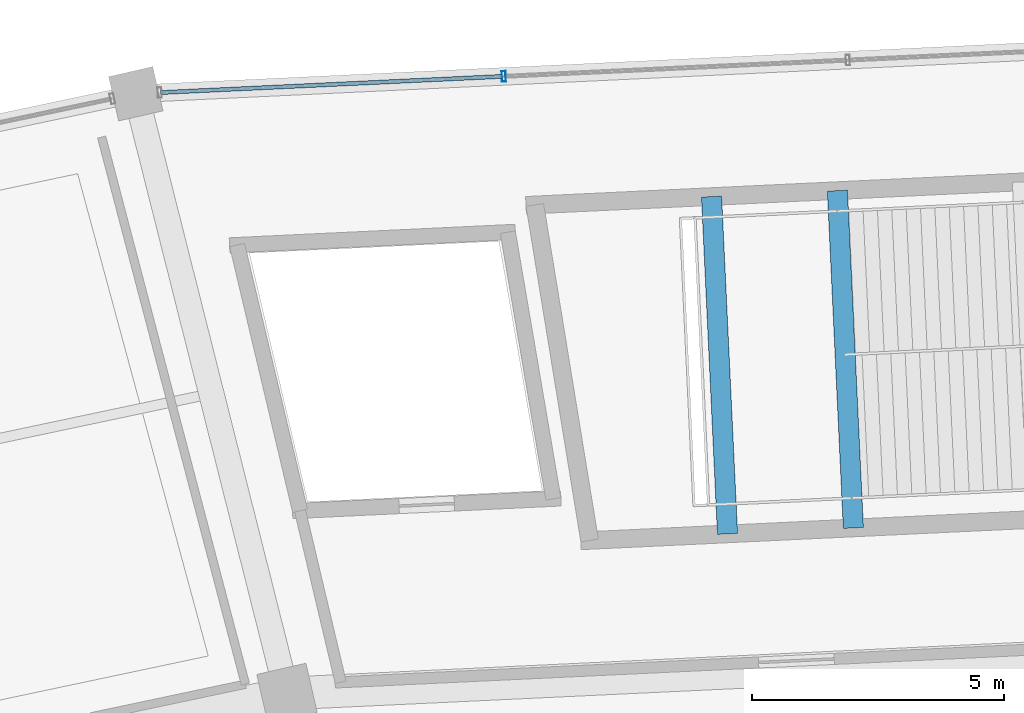
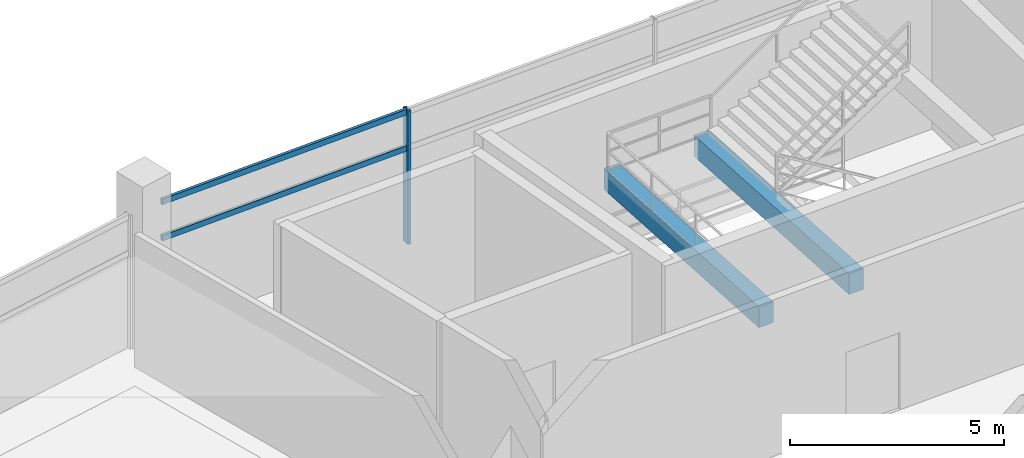
# One storey, part 103 of 171: 3 members, 2 beams, 1 element without a shape of its own.
"""IFC4 building model written with IfcOpenShell, lengths in metres."""

import ifcopenshell
import ifcopenshell.guid

model = None  # the IFC model being written
_history = None  # IfcOwnerHistory: only IFC2X3 demands one
_inside = {}  # id of a spatial element -> (the spatial element, [elements in it])
_under = {}  # id of a project, library or spatial element -> (it, [spatial elements below it])
_declared = {}  # id of a project -> (the project, [libraries it declares])
_typed = {}  # id of a type object -> (the type object, [elements of that type])
_made_of = {}  # id of a material, layer set ... -> (it, [elements and type objects made of it])


def new_model(schema):
    """Start an empty IFC model of exactly this schema.

    Asked for "IFC4X3", IfcOpenShell would pick the latest addendum, in which some entities
    have other attributes; the version numbers below select the first issue.
    IFC2X3 requires an IfcOwnerHistory on every rooted entity: one is made here for all.
    """
    global model, _history
    if schema == "IFC4X3":
        model = ifcopenshell.file(schema_version=(4, 3, 0, 0))
    else:
        model = ifcopenshell.file(schema=schema)
    _inside.clear()
    _under.clear()
    _declared.clear()
    _typed.clear()
    _made_of.clear()
    _history = None
    if model.schema == "IFC2X3":
        org = make("IfcOrganization", Name="unknown")
        user = make(
            "IfcPersonAndOrganization",
            ThePerson=make("IfcPerson", FamilyName="unknown"),
            TheOrganization=org,
        )
        app = make(
            "IfcApplication",
            ApplicationDeveloper=org,
            Version="unknown",
            ApplicationFullName="unknown",
            ApplicationIdentifier="unknown",
        )
        _history = make(
            "IfcOwnerHistory",
            OwningUser=user,
            OwningApplication=app,
            ChangeAction="ADDED",
            CreationDate=0,
        )
    return model


def make(cls, **values):
    """One entity of the class cls with the attributes given. An attribute that is None is left unset."""
    return model.create_entity(
        cls, **{name: value for name, value in values.items() if value is not None}
    )


def rooted(cls, **values):
    """An entity with a GlobalId (a new one), such as an element, a storey or a relation."""
    return make(cls, GlobalId=ifcopenshell.guid.new(), OwnerHistory=_history, **values)


def si_unit(unit_type, name, prefix=None):
    """IfcSIUnit, for example si_unit("LENGTHUNIT", "METRE", prefix="MILLI")."""
    return make("IfcSIUnit", UnitType=unit_type, Prefix=prefix, Name=name)


def assignment(units):
    """IfcUnitAssignment: the units of a project."""
    return None if units is None else make("IfcUnitAssignment", Units=units)


def point(xyz):
    """IfcCartesianPoint."""
    return None if xyz is None else make("IfcCartesianPoint", Coordinates=xyz)


def direction(xyz):
    """IfcDirection."""
    return None if xyz is None else make("IfcDirection", DirectionRatios=xyz)


def frame(location, z_axis=None, x_axis=None):
    """IfcAxis2Placement3D, a coordinate frame: its origin and axes. An axis left out is left unset."""
    return make(
        "IfcAxis2Placement3D",
        Location=point(location),
        Axis=direction(z_axis),
        RefDirection=direction(x_axis),
    )


def frame_2d(location, x_axis=None):
    """IfcAxis2Placement2D, a coordinate frame in the plane: its origin and x axis."""
    return make(
        "IfcAxis2Placement2D", Location=point(location), RefDirection=direction(x_axis)
    )


def origin():
    """The frame at (0, 0, 0) with its axes left unset."""
    return frame((0.0, 0.0, 0.0))


def origin_2d():
    """The frame at (0, 0) in the plane with its x axis left unset."""
    return frame_2d((0.0, 0.0))


def place(relative_to, where):
    """IfcLocalPlacement: puts the frame where relative to a parent placement (None: the world)."""
    return make(
        "IfcLocalPlacement", PlacementRelTo=relative_to, RelativePlacement=where
    )


def context(
    kind, dimensions, precision=None, world=None, true_north=None, identifier=None
):
    """IfcGeometricRepresentationContext, for example the 3D "Model" context."""
    return make(
        "IfcGeometricRepresentationContext",
        ContextIdentifier=identifier,
        ContextType=kind,
        CoordinateSpaceDimension=dimensions,
        Precision=precision,
        WorldCoordinateSystem=world,
        TrueNorth=true_north,
    )


def subcontext(parent, identifier, kind, view, scale=None):
    """IfcGeometricRepresentationSubContext, for example "Body" below "Model"."""
    return make(
        "IfcGeometricRepresentationSubContext",
        ContextIdentifier=identifier,
        ContextType=kind,
        ParentContext=parent,
        TargetScale=scale,
        TargetView=view,
    )


def project(units=None, contexts=None):
    """IfcProject with its units and contexts."""
    return rooted(
        "IfcProject",
        Name="project",
        RepresentationContexts=contexts,
        UnitsInContext=assignment(units),
    )


def spatial(cls, under=None, at=None, **own):
    """A site, building, storey or space (cls), placed at a placement, below another one or the project."""
    s = rooted(cls, ObjectPlacement=at, **own)
    if under is not None:
        _under.setdefault(under.id(), (under, []))[1].append(s)
    return s


def profile(cls, at=None, kind="AREA", **sizes):
    """A parametric profile (cls). Its sizes go by their IFC names, for example OverallWidth=200.0."""
    return make(cls, ProfileType=kind, Position=at, **sizes)


def rectangle(**sizes):
    """IfcRectangleProfileDef."""
    return profile("IfcRectangleProfileDef", **sizes)


def hollow_rectangle(**sizes):
    """IfcRectangleHollowProfileDef."""
    return profile("IfcRectangleHollowProfileDef", **sizes)


def extrude(swept, where, along, depth):
    """IfcExtrudedAreaSolid: the profile swept, set in the frame where, extruded along a direction by depth."""
    return make(
        "IfcExtrudedAreaSolid",
        SweptArea=swept,
        Position=where,
        ExtrudedDirection=direction(along),
        Depth=depth,
    )


def shape(context_of_items, identifier, shape_type, items):
    """IfcShapeRepresentation: the items that make up one representation, for example the "Body"."""
    return make(
        "IfcShapeRepresentation",
        ContextOfItems=context_of_items,
        RepresentationIdentifier=identifier,
        RepresentationType=shape_type,
        Items=items,
    )


def material(Name=None, Category=None):
    """IfcMaterial."""
    return make("IfcMaterial", Name=Name, Category=Category)


def layer(
    of_material, thickness, ventilated=None, Name=None, Category=None, Priority=None
):
    """IfcMaterialLayer: one layer of a wall or slab, of a material (None: an air gap)."""
    return make(
        "IfcMaterialLayer",
        Material=of_material,
        LayerThickness=thickness,
        IsVentilated=ventilated,
        Name=Name,
        Category=Category,
        Priority=Priority,
    )


def layer_set(layers, Name=None):
    """IfcMaterialLayerSet."""
    return make("IfcMaterialLayerSet", MaterialLayers=layers, LayerSetName=Name)


def material_profile(
    of_material, cross_section, Name=None, Category=None, Priority=None
):
    """IfcMaterialProfile: a cross section and its material."""
    return make(
        "IfcMaterialProfile",
        Name=Name,
        Material=of_material,
        Profile=cross_section,
        Priority=Priority,
        Category=Category,
    )


def profile_set(profiles, Name=None, composite=None):
    """IfcMaterialProfileSet."""
    return make(
        "IfcMaterialProfileSet",
        Name=Name,
        MaterialProfiles=profiles,
        CompositeProfile=composite,
    )


def made_of(thing, what):
    """Note that an element or type object is made of a material, layer set ...; save() writes the relation."""
    if what is not None:
        _made_of.setdefault(what.id(), (what, []))[1].append(thing)
    return thing


def type_object(cls, material=None, **own):
    """A type object (cls), such as IfcWallType, which elements share."""
    return made_of(rooted(cls, **own), material)


def element(
    cls,
    number,
    at=None,
    inside=None,
    cuts=None,
    type_object=None,
    material=None,
    context=None,
    identifier="Body",
    shape_type=None,
    held_by="IfcProductDefinitionShape",
    body=None,
    shapes=None,
    **own,
):
    """One element of the class cls, such as IfcWall. Its Tag is "e" and its number.

    at: its placement. inside: the storey or other place that contains it. cuts: it is an
    opening in that element (IfcRelVoidsElement). A single representation is given by context,
    identifier, shape_type and body (its items); several are given by shapes. held_by: the class
    of the entity that holds the representations. save() writes the other relations.
    """
    e = rooted(cls, Tag="e%d" % number, ObjectPlacement=at, **own)
    if body is not None:
        shapes = [shape(context, identifier, shape_type, body)]
    if shapes is not None:
        e.Representation = make(held_by, Representations=shapes)
    if inside is not None:
        _inside.setdefault(inside.id(), (inside, []))[1].append(e)
    if cuts is not None:
        rooted(
            "IfcRelVoidsElement", RelatingBuildingElement=cuts, RelatedOpeningElement=e
        )
    if type_object is not None:
        _typed.setdefault(type_object.id(), (type_object, []))[1].append(e)
    return made_of(e, material)


def aggregate(whole, parts):
    """IfcRelAggregates: a whole, such as a stair, and the parts it consists of."""
    return rooted("IfcRelAggregates", RelatingObject=whole, RelatedObjects=parts)


def save(model, path):
    """Write the relations noted so far, then the file.

    IfcRelAggregates (storeys below a building ...), IfcRelContainedInSpatialStructure (elements
    in a storey), IfcRelDefinesByType, IfcRelAssociatesMaterial and IfcRelDeclares: one each for
    every whole, place, type object, material and project.
    """
    for whole, parts in _under.values():
        aggregate(whole, parts)
    for where, things in _inside.values():
        rooted(
            "IfcRelContainedInSpatialStructure",
            RelatedElements=things,
            RelatingStructure=where,
        )
    for kind, things in _typed.values():
        rooted("IfcRelDefinesByType", RelatedObjects=things, RelatingType=kind)
    for what, things in _made_of.values():
        rooted("IfcRelAssociatesMaterial", RelatedObjects=things, RelatingMaterial=what)
    for by, libraries in _declared.values():
        rooted("IfcRelDeclares", RelatingContext=by, RelatedDefinitions=libraries)
    model.write(path)


model = new_model("IFC4")

# Units and contexts
model_context = context("Model", 3, precision=1e-05, world=origin(), true_north=direction((0.0, 1.0)))
body_context = subcontext(model_context, "Body", "Model", "MODEL_VIEW")
ifc_project = project(units=[si_unit("LENGTHUNIT", "METRE"), si_unit("AREAUNIT", "SQUARE_METRE"), si_unit("VOLUMEUNIT", "CUBIC_METRE"), si_unit("PLANEANGLEUNIT", "RADIAN"), si_unit("MASSUNIT", "GRAM", prefix="KILO")], contexts=[model_context])

# Site, building, storey
site_placement = place(None, origin())
site = spatial("IfcSite", under=ifc_project, at=site_placement, CompositionType="ELEMENT")
building_placement = place(site_placement, origin())
building = spatial("IfcBuilding", under=site, at=building_placement, Name="Kazemori Nagisa Stadium", CompositionType="ELEMENT")
storey_placement = place(building_placement, frame((0.0, 0.0, 15.639892578125)))
storey = spatial("IfcBuildingStorey", under=building, at=storey_placement, Name="L03", CompositionType="ELEMENT", Elevation=15.639892578125)

# Beams
ifc_material_1 = material(Name="Concrete C40/50 (Fc42)", Category="concrete")
ifc_material_profile_1 = material_profile(ifc_material_1, rectangle(XDim=0.39990234375, YDim=0.60009765625, at=origin_2d()), Name="RC-BM-400x600")
ifc_profile_set_1 = profile_set([ifc_material_profile_1], Name="Concrete C40/50 (Fc42)")
beam_type = type_object("IfcBeamType", Name="Beam_BG-LND400X600", PredefinedType="BEAM", material=ifc_profile_set_1)
beam_1_placement = place(storey_placement, frame((115.8095703125, 178.3720703125, 1.880126953125), z_axis=(-0.047222374852, 0.998884401377, 0.0), x_axis=(-0.998884401377, -0.047222374852, 0.0)))
element("IfcBeam", 1, at=beam_1_placement, inside=storey, type_object=beam_type, Name="Core stair mid-landing girder ST05-L03-1", PredefinedType="BEAM", context=body_context, shape_type="SweptSolid", body=[
    extrude(rectangle(XDim=0.39990234375, YDim=0.60009765625, at=origin_2d()), origin(), (0.0, 0.0, 1.0), 6.700439453125),
])
beam_2_placement = place(storey_placement, frame((113.3125, 178.25390625, 1.880126953125), z_axis=(-0.047257010545, 0.998882763368, 0.0), x_axis=(-0.998882763368, -0.047257010545, 0.0)))
element("IfcBeam", 2, at=beam_2_placement, inside=storey, type_object=beam_type, Name="Core stair mid-landing girder ST05-L03-2", PredefinedType="BEAM", context=body_context, shape_type="SweptSolid", body=[
    extrude(rectangle(XDim=0.39990234375, YDim=0.60009765625, at=origin_2d()), origin(), (0.0, 0.0, 1.0), 6.70068359375),
])

# Curtain wall, members
ifc_material_2 = material(Name="Anodised aluminium 6063-T5", Category="aluminium")
ifc_layer = layer(ifc_material_2, 0.2099609375, Name="Anodised aluminium 6063-T5", Category="aluminium")
ifc_layer_set = layer_set([ifc_layer], Name="Anodised aluminium 6063-T5")
curtain_wall_type = type_object("IfcCurtainWallType", Name="CW_L03R3_103", PredefinedType="USERDEFINED", material=ifc_layer_set)
curtain_wall_placement = place(storey_placement, origin())
curtain_wall = element("IfcCurtainWall", 3, at=curtain_wall_placement, inside=storey, type_object=curtain_wall_type, Name="Unitised curtain wall CW-L03R3-103 L03", ObjectType="UNITISED CURTAIN WALL", PredefinedType="USERDEFINED")
ifc_material_3 = material(Name="Aluminium 6063-T5 anodised", Category="aluminium")
ifc_material_profile_2 = material_profile(ifc_material_3, hollow_rectangle(XDim=0.080078125, YDim=0.2099609375, WallThickness=0.0048828125, at=origin_2d()), Name="ALU-MULL-80x210x5")
ifc_profile_set_2 = profile_set([ifc_material_profile_2], Name="Aluminium 6063-T5 anodised")
member_type_1 = type_object("IfcMemberType", Name="Mullion_M02", PredefinedType="MULLION", material=ifc_profile_set_2)
member_1_placement = place(storey_placement, frame((108.873046875, 187.33203125, 0.0), z_axis=(0.0, 0.0, 1.0), x_axis=(-0.998884022476, -0.047230388971, 0.0)))
member_1 = element("IfcMember", 4, at=member_1_placement, type_object=member_type_1, Name="Curtain wall mullion CW-L03R3-103-M3", PredefinedType="MULLION", context=body_context, shape_type="SweptSolid", body=[
    extrude(hollow_rectangle(XDim=0.080078125, YDim=0.2099609375, WallThickness=0.0048828125, at=origin_2d()), origin(), (0.0, 0.0, 1.0), 3.81005859375),
])
ifc_material_profile_3 = material_profile(ifc_material_3, hollow_rectangle(XDim=0.080078125, YDim=0.159912109375, WallThickness=0.00390625, at=origin_2d()), Name="ALU-TRAN-80x160x4")
ifc_profile_set_3 = profile_set([ifc_material_profile_3], Name="Aluminium 6063-T5 anodised")
member_type_2 = type_object("IfcMemberType", Name="Transom_T02", PredefinedType="USERDEFINED", material=ifc_profile_set_3)
member_2_placement = place(storey_placement, frame((108.85302734375, 187.3310546875, 2.705322265625), z_axis=(-0.998884581669, -0.047218561007, 0.0), x_axis=(0.047218561007, -0.998884581669, 0.0)))
member_2 = element("IfcMember", 5, at=member_2_placement, type_object=member_type_2, Name="Curtain wall transom CW-L03R3-103-T3-mid", ObjectType="TRANSOM", PredefinedType="USERDEFINED", context=body_context, shape_type="SweptSolid", body=[
    extrude(hollow_rectangle(XDim=0.080078125, YDim=0.159912109375, WallThickness=0.00390625, at=origin_2d()), origin(), (0.0, 0.0, 1.0), 6.7939453125),
])
member_3_placement = place(storey_placement, frame((108.85302734375, 187.3310546875, 3.739990234375), z_axis=(-0.998884581669, -0.047218561007, 0.0), x_axis=(0.047218561007, -0.998884581669, 0.0)))
member_3 = element("IfcMember", 6, at=member_3_placement, type_object=member_type_2, Name="Curtain wall transom CW-L03R3-103-T3-head", ObjectType="TRANSOM", PredefinedType="USERDEFINED", context=body_context, shape_type="SweptSolid", body=[
    extrude(hollow_rectangle(XDim=0.080078125, YDim=0.159912109375, WallThickness=0.00390625, at=origin_2d()), origin(), (0.0, 0.0, 1.0), 6.7939453125),
])
aggregate(curtain_wall, [member_1, member_2, member_3])

save(model, "model.ifc")
